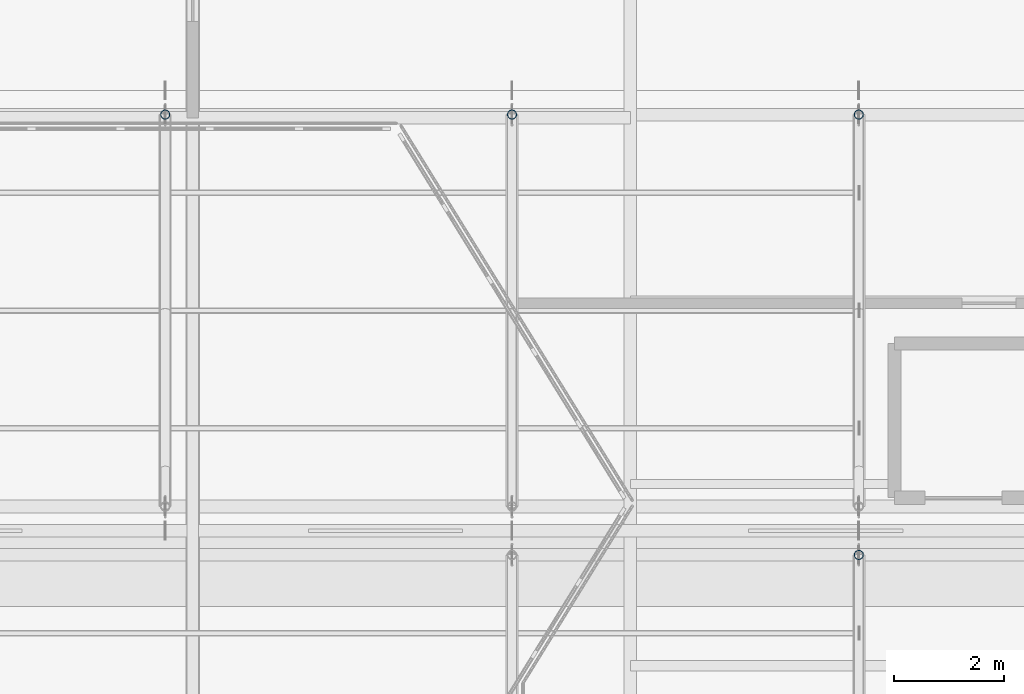
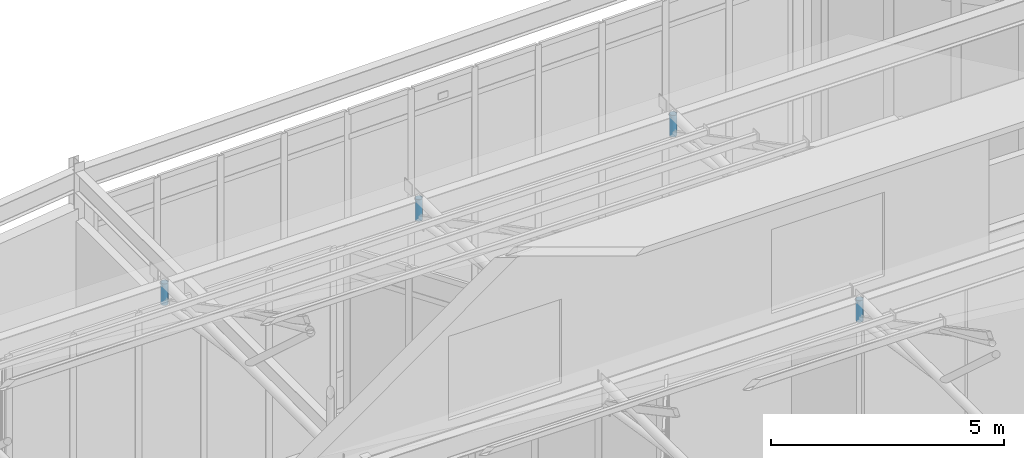
# One storey, part 41 of 66: 4 members.
"""IFC4 building model written with IfcOpenShell, lengths in metres."""

from ifc_helpers import new_model, si_unit, direction, frame, origin, origin_2d, place, context, subcontext, project, spatial, hollow_circle, extrude, material, material_profile, profile_set, type_object, element, save


model = new_model("IFC4")

# Units and contexts
model_context = context("Model", 3, precision=1e-05, world=origin(), true_north=direction((0.0, 1.0)))
body_context = subcontext(model_context, "Body", "Model", "MODEL_VIEW")
ifc_project = project(units=[si_unit("LENGTHUNIT", "METRE"), si_unit("AREAUNIT", "SQUARE_METRE"), si_unit("VOLUMEUNIT", "CUBIC_METRE"), si_unit("PLANEANGLEUNIT", "RADIAN"), si_unit("MASSUNIT", "GRAM", prefix="KILO")], contexts=[model_context])

# Site, building, storey
site_placement = place(None, origin())
site = spatial("IfcSite", under=ifc_project, at=site_placement, CompositionType="ELEMENT")
building_placement = place(site_placement, origin())
building = spatial("IfcBuilding", under=site, at=building_placement, Name="Tameran Prism Museum", CompositionType="ELEMENT")
storey_placement = place(building_placement, frame((0.0, 0.0, 19.800048828125)))
storey = spatial("IfcBuildingStorey", under=building, at=storey_placement, Name="L04", CompositionType="ELEMENT", Elevation=19.800048828125)

# Members
ifc_material = material(Name="Steel Grade C350L0 (350 MPa)", Category="steel")
ifc_material_profile = material_profile(ifc_material, hollow_circle(Radius=0.084228515625, WallThickness=0.007080078125, at=origin_2d()))
ifc_profile_set = profile_set([ifc_material_profile])
member_type = type_object("IfcMemberType", Name="MM-BR-CHS168", PredefinedType="BRACE", material=ifc_profile_set)
for number, where, z_axis, x_axis, name in (
    (1, (89.60009765625, 35.56005859375, 8.785888671875), (0.0, 0.0, -1.0), (1.0, 0.0, 0.0), "Sawtooth Brace STM-0186"),
    (2, (77.0, 43.56005859375, 8.785888671875), (0.0, 0.0, -1.0), (1.0, 0.0, 0.0), "Sawtooth Brace STM-0207"),
    (3, (83.300048828125, 43.56005859375, 8.785888671875), (0.0, 0.0, -1.0), (1.0, 0.0, 0.0), "Sawtooth Brace STM-0214"),
    (4, (89.60009765625, 43.56005859375, 8.785888671875), (0.0, 0.0, -1.0), (1.0, 0.0, 0.0), "Sawtooth Brace STM-0221"),
):
    element("IfcMember", number, at=place(storey_placement, frame(where, z_axis=z_axis, x_axis=x_axis)), inside=storey, type_object=member_type, Name=name, PredefinedType="BRACE", context=body_context, shape_type="SweptSolid", body=[
        extrude(hollow_circle(Radius=0.084228515625, WallThickness=0.007080078125, at=origin_2d()), origin(), (0.0, 0.0, 1.0), 0.56201171875),
    ])

save(model, "model.ifc")
